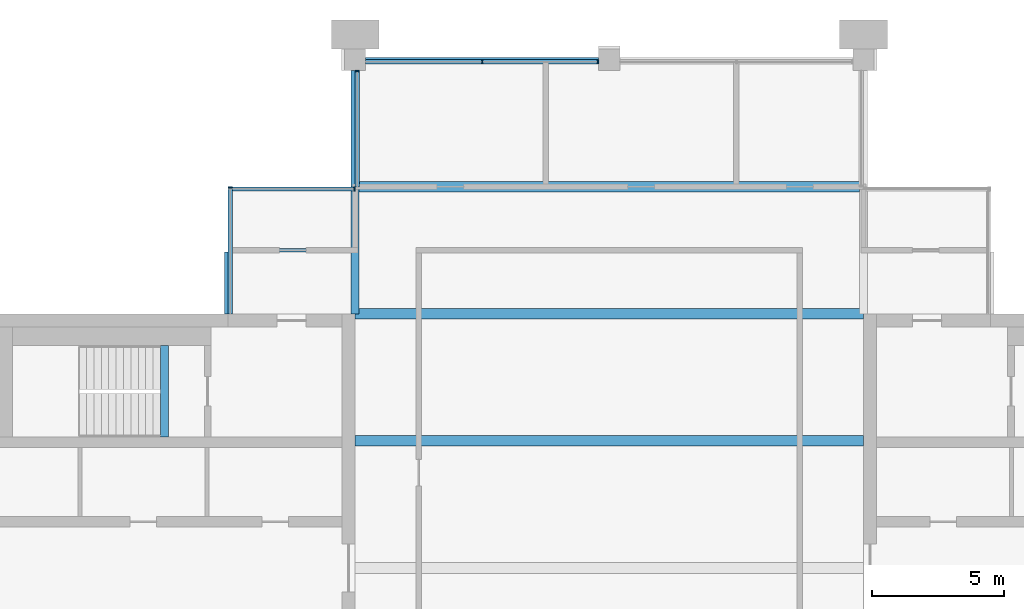
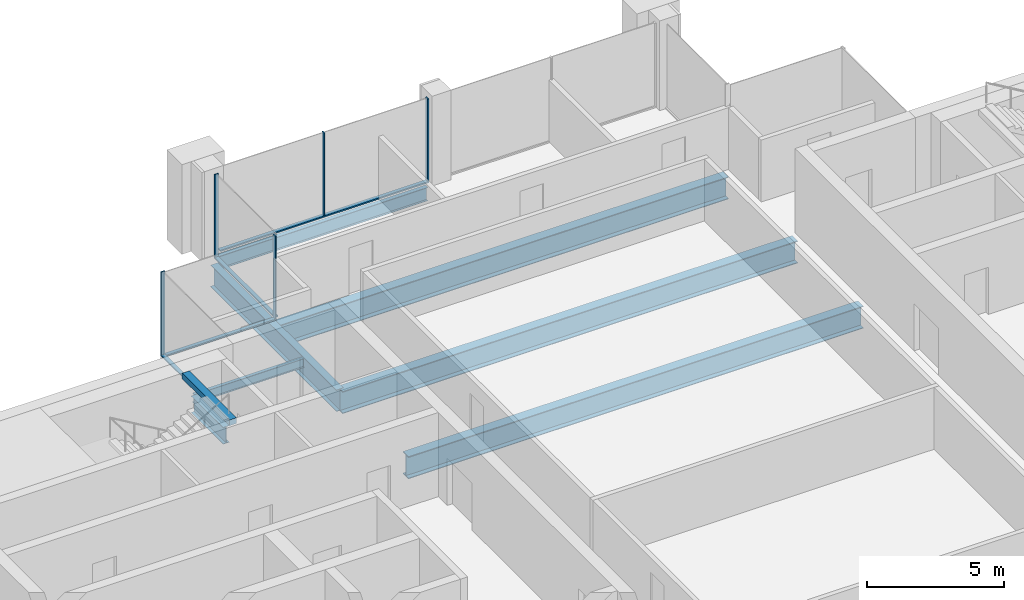
# One storey, part 5 of 11: 9 members, 8 beams, 4 elements without a shape of their own.
"""IFC4 building model written with IfcOpenShell, lengths in metres."""

from ifc_helpers import new_model, si_unit, direction, frame, origin, origin_2d, place, context, subcontext, project, spatial, rectangle, i_section, extrude, material, material_profile, profile_set, type_object, element, aggregate, save


model = new_model("IFC4")

# Units and contexts
model_context = context("Model", 3, precision=1e-05, world=origin(), true_north=direction((0.0, 1.0)))
body_context = subcontext(model_context, "Body", "Model", "MODEL_VIEW")
ifc_project = project(units=[si_unit("LENGTHUNIT", "METRE"), si_unit("AREAUNIT", "SQUARE_METRE"), si_unit("VOLUMEUNIT", "CUBIC_METRE"), si_unit("PLANEANGLEUNIT", "RADIAN"), si_unit("MASSUNIT", "GRAM", prefix="KILO")], contexts=[model_context])

# Site, building, storey
site_placement = place(None, origin())
site = spatial("IfcSite", under=ifc_project, at=site_placement, CompositionType="ELEMENT")
building_placement = place(site_placement, origin())
building = spatial("IfcBuilding", under=site, at=building_placement, Name="Baori Bourse Tower", CompositionType="ELEMENT")
storey_placement = place(building_placement, frame((0.0, 0.0, 358.300048828125)))
storey = spatial("IfcBuildingStorey", under=building, at=storey_placement, Name="L80", CompositionType="ELEMENT", Elevation=358.300048828125)

# Curtain wall, members
ifc_material_1 = material(Name="Pale anodised aluminium", Category="aluminium")
curtain_wall_type = type_object("IfcCurtainWallType", Name="CW3 Curtain wall", PredefinedType="NOTDEFINED", material=ifc_material_1)
curtain_wall_1_placement = place(storey_placement, origin())
curtain_wall_1 = element("IfcCurtainWall", 1, at=curtain_wall_1_placement, inside=storey, type_object=curtain_wall_type, Name="Curtain wall CW3 L80 6", PredefinedType="NOTDEFINED")
ifc_material_2 = material(Name="Pale anodised aluminium", Category="aluminium")
ifc_material_profile_1 = material_profile(ifc_material_2, rectangle(XDim=0.159912109375, YDim=0.050048828125, at=origin_2d()), Name="Mullion 50x160")
ifc_profile_set_1 = profile_set([ifc_material_profile_1], Name="Pale anodised aluminium")
member_type_1 = type_object("IfcMemberType", Name="CW3 Curtain wall mullion", PredefinedType="MULLION", material=ifc_profile_set_1)
member_1_placement = place(storey_placement, frame((28.375, 47.919921875, 0.06005859375), z_axis=(0.0, 0.0, 1.0), x_axis=(0.0, -1.0, 0.0)))
member_1 = element("IfcMember", 2, at=member_1_placement, type_object=member_type_1, Name="Curtain wall CW3 mullion", PredefinedType="MULLION", context=body_context, shape_type="SweptSolid", body=[
    extrude(rectangle(XDim=0.159912109375, YDim=0.050048828125, at=origin_2d()), origin(), (0.0, 0.0, 1.0), 3.68994140625),
])
member_2_placement = place(storey_placement, frame((24.0, 47.919921875, 0.06005859375), z_axis=(0.0, 0.0, 1.0), x_axis=(0.0, -1.0, 0.0)))
member_2 = element("IfcMember", 3, at=member_2_placement, type_object=member_type_1, Name="Curtain wall CW3 mullion", PredefinedType="MULLION", context=body_context, shape_type="SweptSolid", body=[
    extrude(rectangle(XDim=0.159912109375, YDim=0.050048828125, at=origin_2d()), origin(), (0.0, 0.0, 1.0), 3.68994140625),
])

# Curtain wall, member
curtain_wall_2_placement = place(storey_placement, origin())
curtain_wall_2 = element("IfcCurtainWall", 4, at=curtain_wall_2_placement, inside=storey, type_object=curtain_wall_type, Name="Curtain wall CW3 L80 7", PredefinedType="NOTDEFINED")
member_3_placement = place(storey_placement, frame((19.280029296875, 47.574951171875, 0.06005859375), z_axis=(0.0, 0.0, 1.0), x_axis=(1.0, 0.0, 0.0)))
member_3 = element("IfcMember", 5, at=member_3_placement, type_object=member_type_1, Name="Curtain wall CW3 mullion", PredefinedType="MULLION", context=body_context, shape_type="SweptSolid", body=[
    extrude(rectangle(XDim=0.159912109375, YDim=0.050048828125, at=origin_2d()), origin(), (0.0, 0.0, 1.0), 3.68994140625),
])

curtain_wall_3_placement = place(storey_placement, origin())
curtain_wall_3 = element("IfcCurtainWall", 6, at=curtain_wall_3_placement, inside=storey, type_object=curtain_wall_type, Name="Curtain wall CW3 L80 8", PredefinedType="NOTDEFINED")
member_4_placement = place(storey_placement, frame((19.175048828125, 43.1201171875, 0.06005859375), z_axis=(0.0, 0.0, 1.0), x_axis=(0.0, -1.0, 0.0)))
member_4 = element("IfcMember", 7, at=member_4_placement, type_object=member_type_1, Name="Curtain wall CW3 mullion", PredefinedType="MULLION", context=body_context, shape_type="SweptSolid", body=[
    extrude(rectangle(XDim=0.159912109375, YDim=0.050048828125, at=origin_2d()), origin(), (0.0, 0.0, 1.0), 3.68994140625),
])

curtain_wall_4_placement = place(storey_placement, origin())
curtain_wall_4 = element("IfcCurtainWall", 8, at=curtain_wall_4_placement, inside=storey, type_object=curtain_wall_type, Name="Curtain wall CW3 L80 9", PredefinedType="NOTDEFINED")
member_5_placement = place(storey_placement, frame((14.47998046875, 43.175048828125, 0.06005859375), z_axis=(0.0, 0.0, 1.0), x_axis=(1.0, 0.0, 0.0)))
member_5 = element("IfcMember", 9, at=member_5_placement, type_object=member_type_1, Name="Curtain wall CW3 mullion", PredefinedType="MULLION", context=body_context, shape_type="SweptSolid", body=[
    extrude(rectangle(XDim=0.159912109375, YDim=0.050048828125, at=origin_2d()), origin(), (0.0, 0.0, 1.0), 3.68994140625),
])

# Member
ifc_material_3 = material(Name="Pale anodised aluminium", Category="aluminium")
ifc_material_profile_2 = material_profile(ifc_material_3, rectangle(XDim=0.159912109375, YDim=0.06005859375, at=origin_2d()), Name="Transom 60x160")
ifc_profile_set_2 = profile_set([ifc_material_profile_2], Name="Pale anodised aluminium")
member_type_2 = type_object("IfcMemberType", Name="CW3 Curtain wall transom", PredefinedType="USERDEFINED", material=ifc_profile_set_2)
member_6_placement = place(storey_placement, frame((28.39990234375, 47.919921875, 0.030029296875), z_axis=(-1.0, 0.0, 0.0), x_axis=(0.0, -1.0, 0.0)))
member_6 = element("IfcMember", 10, at=member_6_placement, type_object=member_type_2, Name="Curtain wall CW3 sill rail", ObjectType="TRANSOM", PredefinedType="USERDEFINED", context=body_context, shape_type="SweptSolid", body=[
    extrude(rectangle(XDim=0.159912109375, YDim=0.06005859375, at=origin_2d()), origin(), (0.0, 0.0, 1.0), 8.7998046875),
])

aggregate(curtain_wall_1, [member_6, member_1, member_2])

member_7_placement = place(storey_placement, frame((19.280029296875, 47.60009765625, 0.030029296875), z_axis=(0.0, -1.0, 0.0), x_axis=(1.0, 0.0, 0.0)))
member_7 = element("IfcMember", 11, at=member_7_placement, type_object=member_type_2, Name="Curtain wall CW3 sill rail", ObjectType="TRANSOM", PredefinedType="USERDEFINED", context=body_context, shape_type="SweptSolid", body=[
    extrude(rectangle(XDim=0.159912109375, YDim=0.06005859375, at=origin_2d()), origin(), (0.0, 0.0, 1.0), 4.400146484375),
])

aggregate(curtain_wall_2, [member_7, member_3])

member_8_placement = place(storey_placement, frame((19.199951171875, 43.1201171875, 0.030029296875), z_axis=(-1.0, 0.0, 0.0), x_axis=(0.0, -1.0, 0.0)))
member_8 = element("IfcMember", 12, at=member_8_placement, type_object=member_type_2, Name="Curtain wall CW3 sill rail", ObjectType="TRANSOM", PredefinedType="USERDEFINED", context=body_context, shape_type="SweptSolid", body=[
    extrude(rectangle(XDim=0.159912109375, YDim=0.06005859375, at=origin_2d()), origin(), (0.0, 0.0, 1.0), 4.800048828125),
])

aggregate(curtain_wall_3, [member_8, member_4])

member_9_placement = place(storey_placement, frame((14.47998046875, 43.199951171875, 0.030029296875), z_axis=(0.0, -1.0, 0.0), x_axis=(1.0, 0.0, 0.0)))
member_9 = element("IfcMember", 13, at=member_9_placement, type_object=member_type_2, Name="Curtain wall CW3 sill rail", ObjectType="TRANSOM", PredefinedType="USERDEFINED", context=body_context, shape_type="SweptSolid", body=[
    extrude(rectangle(XDim=0.159912109375, YDim=0.06005859375, at=origin_2d()), origin(), (0.0, 0.0, 1.0), 4.800048828125),
])

aggregate(curtain_wall_4, [member_9, member_5])

# Beams
ifc_material_4 = material(Name="Steel A992 Gr 50", Category="steel")
ifc_material_profile_3 = material_profile(ifc_material_4, i_section(OverallWidth=0.26416015625, OverallDepth=0.749267578125, WebThickness=0.011962890625, FlangeThickness=0.015380859375, at=origin_2d()), Name="W30x90")
ifc_profile_set_3 = profile_set([ifc_material_profile_3], Name="Steel A992 Gr 50")
beam_type_1 = type_object("IfcBeamType", Name="Core bracket W30x90", PredefinedType="BEAM", material=ifc_profile_set_3)
beam_1_placement = place(storey_placement, frame((14.39990234375, 38.39990234375, -0.624755859375), z_axis=(0.0, 1.0, 0.0), x_axis=(-1.0, 0.0, 0.0)))
element("IfcBeam", 14, at=beam_1_placement, inside=storey, type_object=beam_type_1, Name="Core bracket L80", PredefinedType="BEAM", context=body_context, shape_type="SweptSolid", body=[
    extrude(i_section(OverallWidth=0.26416015625, OverallDepth=0.749267578125, WebThickness=0.011962890625, FlangeThickness=0.015380859375, at=origin_2d()), origin(), (0.0, 0.0, 1.0), 2.329833984375),
])
ifc_material_5 = material(Name="Steel A992 Gr 50", Category="steel")
ifc_material_profile_4 = material_profile(ifc_material_5, i_section(OverallWidth=0.177978515625, OverallDepth=0.599365234375, WebThickness=0.010009765625, FlangeThickness=0.012939453125, at=origin_2d()), Name="W24x55")
ifc_profile_set_4 = profile_set([ifc_material_profile_4], Name="Steel A992 Gr 50")
beam_type_2 = type_object("IfcBeamType", Name="Edge beam W24x55", PredefinedType="BEAM", material=ifc_profile_set_4)
beam_2_placement = place(storey_placement, frame((19.60009765625, 48.0, -0.5498046875), z_axis=(1.0, 0.0, 0.0), x_axis=(0.0, 1.0, 0.0)))
element("IfcBeam", 15, at=beam_2_placement, inside=storey, type_object=beam_type_2, Name="Edge beam L80", PredefinedType="BEAM", context=body_context, shape_type="SweptSolid", body=[
    extrude(i_section(OverallWidth=0.177978515625, OverallDepth=0.599365234375, WebThickness=0.010009765625, FlangeThickness=0.012939453125, at=origin_2d()), origin(), (0.0, 0.0, 1.0), 8.7998046875),
])
ifc_material_6 = material(Name="Steel A992 Gr 50", Category="steel")
ifc_material_profile_5 = material_profile(ifc_material_6, i_section(OverallWidth=0.4013671875, OverallDepth=0.990478515625, WebThickness=0.0166015625, FlangeThickness=0.031005859375, at=origin_2d()), Name="W40x215")
ifc_profile_set_5 = profile_set([ifc_material_profile_5], Name="Steel A992 Gr 50")
beam_type_3 = type_object("IfcBeamType", Name="Floor beam W40x215", PredefinedType="BEAM", material=ifc_profile_set_5)
for number, where, z_axis, x_axis, name in (
    (16, (19.199951171875, 33.60009765625, -0.745361328125), (1.0, 0.0, 0.0), (0.0, 1.0, 0.0), "Floor beam L80"),
    (17, (19.199951171875, 38.39990234375, -0.745361328125), (1.0, 0.0, 0.0), (0.0, 1.0, 0.0), "Floor beam L80"),
):
    element("IfcBeam", number, at=place(storey_placement, frame(where, z_axis=z_axis, x_axis=x_axis)), inside=storey, type_object=beam_type_3, Name=name, PredefinedType="BEAM", context=body_context, shape_type="SweptSolid", body=[
        extrude(i_section(OverallWidth=0.4013671875, OverallDepth=0.990478515625, WebThickness=0.0166015625, FlangeThickness=0.031005859375, at=origin_2d()), origin(), (0.0, 0.0, 1.0), 19.199951171875),
    ])
beam_3_placement = place(storey_placement, frame((19.349853515625, 43.199951171875, -0.745361328125), z_axis=(1.0, 0.0, 0.0), x_axis=(0.0, 1.0, 0.0)))
element("IfcBeam", 18, at=beam_3_placement, inside=storey, type_object=beam_type_3, Name="Floor beam L80", PredefinedType="BEAM", context=body_context, shape_type="SweptSolid", body=[
    extrude(i_section(OverallWidth=0.4013671875, OverallDepth=0.990478515625, WebThickness=0.0166015625, FlangeThickness=0.031005859375, at=origin_2d()), origin(), (0.0, 0.0, 1.0), 18.900390625),
])
ifc_material_7 = material(Name="Steel A992 Gr 50", Category="steel")
ifc_material_profile_6 = material_profile(ifc_material_7, i_section(OverallWidth=0.2998046875, OverallDepth=0.97021484375, WebThickness=0.01611328125, FlangeThickness=0.02099609375, at=origin_2d()), Name="W40x149")
ifc_profile_set_6 = profile_set([ifc_material_profile_6], Name="Steel A992 Gr 50")
beam_type_4 = type_object("IfcBeamType", Name="Girder W40x149", PredefinedType="BEAM", material=ifc_profile_set_6)
beam_4_placement = place(storey_placement, frame((19.199951171875, 38.39990234375, -0.735107421875), z_axis=(0.0, 1.0, 0.0), x_axis=(-1.0, 0.0, 0.0)))
element("IfcBeam", 19, at=beam_4_placement, inside=storey, type_object=beam_type_4, Name="Girder L80", PredefinedType="BEAM", context=body_context, shape_type="SweptSolid", body=[
    extrude(i_section(OverallWidth=0.2998046875, OverallDepth=0.97021484375, WebThickness=0.01611328125, FlangeThickness=0.02099609375, at=origin_2d()), origin(), (0.0, 0.0, 1.0), 9.2001953125),
])
ifc_material_8 = material(Name="Concrete f'c 50 MPa", Category="concrete")
ifc_material_profile_7 = material_profile(ifc_material_8, rectangle(XDim=0.300048828125, YDim=0.25, at=origin_2d()), Name="RC 300x250")
ifc_profile_set_7 = profile_set([ifc_material_profile_7], Name="Concrete f'c 50 MPa")
beam_type_5 = type_object("IfcBeamType", Name="Stair nib beam RC 300x250", PredefinedType="BEAM", material=ifc_profile_set_7)
beam_5_placement = place(storey_placement, frame((12.0, 33.75, 3.625), z_axis=(0.0, 1.0, 0.0), x_axis=(-1.0, 0.0, 0.0)))
element("IfcBeam", 20, at=beam_5_placement, inside=storey, type_object=beam_type_5, Name="Stair WB nib beam L81", PredefinedType="BEAM", context=body_context, shape_type="SweptSolid", body=[
    extrude(rectangle(XDim=0.300048828125, YDim=0.25, at=origin_2d()), origin(), (0.0, 0.0, 1.0), 3.449951171875),
])
ifc_material_9 = material(Name="Steel A992 Gr 50", Category="steel")
ifc_material_profile_8 = material_profile(ifc_material_9, i_section(OverallWidth=0.140380859375, OverallDepth=0.40380859375, WebThickness=0.007080078125, FlangeThickness=0.01123046875, at=origin_2d()), Name="W16x31")
ifc_profile_set_8 = profile_set([ifc_material_profile_8], Name="Steel A992 Gr 50")
beam_type_6 = type_object("IfcBeamType", Name="Trimmer beam W16x31", PredefinedType="BEAM", material=ifc_profile_set_8)
beam_6_placement = place(storey_placement, frame((14.39990234375, 40.800048828125, -0.451904296875), z_axis=(1.0, 0.0, 0.0), x_axis=(0.0, 1.0, 0.0)))
element("IfcBeam", 21, at=beam_6_placement, inside=storey, type_object=beam_type_6, Name="Trimmer beam L80", PredefinedType="BEAM", context=body_context, shape_type="SweptSolid", body=[
    extrude(i_section(OverallWidth=0.140380859375, OverallDepth=0.40380859375, WebThickness=0.007080078125, FlangeThickness=0.01123046875, at=origin_2d()), origin(), (0.0, 0.0, 1.0), 4.650146484375),
])

save(model, "model.ifc")
